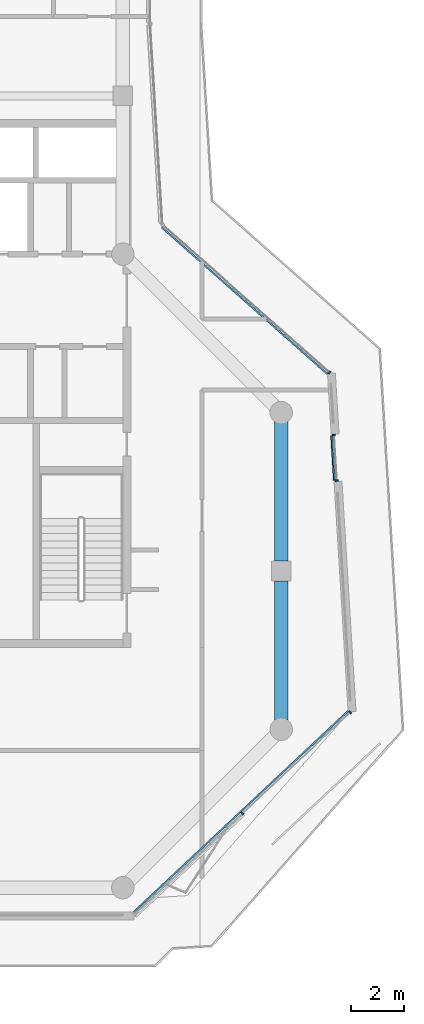
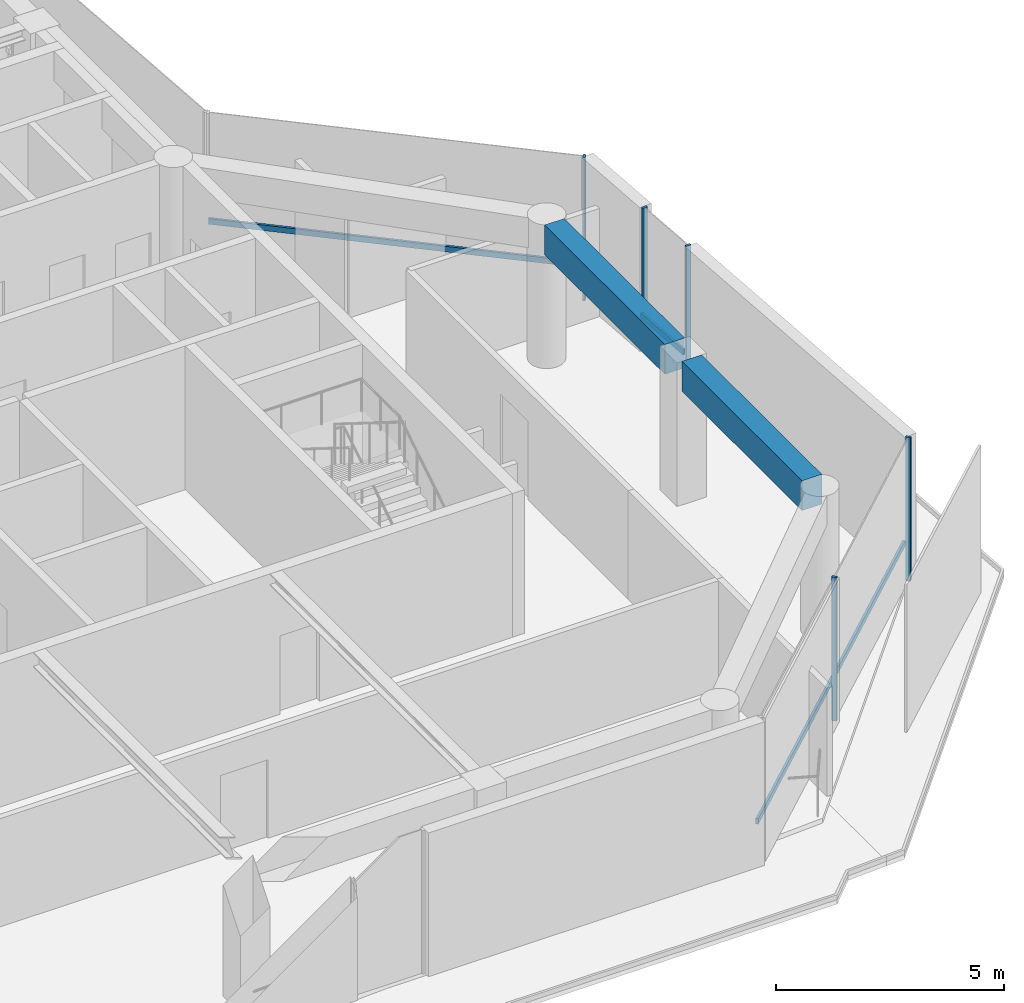
# One storey, part 6 of 21: 8 members, 2 beams, 3 elements without a shape of their own.
"""IFC4 building model written with IfcOpenShell, lengths in metres."""

from ifc_helpers import new_model, si_unit, direction, frame, origin, origin_2d, place, context, subcontext, project, spatial, rectangle, extrude, material, layer, layer_set, material_profile, profile_set, type_object, element, aggregate, save


model = new_model("IFC4")

# Units and contexts
model_context = context("Model", 3, precision=1e-05, world=origin(), true_north=direction((0.0, 1.0)))
body_context = subcontext(model_context, "Body", "Model", "MODEL_VIEW")
ifc_project = project(units=[si_unit("LENGTHUNIT", "METRE"), si_unit("AREAUNIT", "SQUARE_METRE"), si_unit("VOLUMEUNIT", "CUBIC_METRE"), si_unit("PLANEANGLEUNIT", "RADIAN"), si_unit("MASSUNIT", "GRAM", prefix="KILO")], contexts=[model_context])

# Site, building, storey
site_placement = place(None, origin())
site = spatial("IfcSite", under=ifc_project, at=site_placement, CompositionType="ELEMENT")
building_placement = place(site_placement, origin())
building = spatial("IfcBuilding", under=site, at=building_placement, Name="Welwitschia Terrace Campus", CompositionType="ELEMENT")
storey_placement = place(building_placement, frame((0.0, 0.0, 302.0)))
storey = spatial("IfcBuildingStorey", under=building, at=storey_placement, Name="L67", CompositionType="ELEMENT", Elevation=302.0)

# Curtain wall, members
ifc_material_1 = material(Name="Bronze anodised aluminium", Category="aluminium")
ifc_layer = layer(ifc_material_1, 0.1201171875)
ifc_layer_set = layer_set([ifc_layer], Name="Bronze anodised aluminium")
curtain_wall_type = type_object("IfcCurtainWallType", Name="Curtain wall CW2 tower 6000", PredefinedType="NOTDEFINED", material=ifc_layer_set)
curtain_wall_1_placement = place(storey_placement, origin())
curtain_wall_1 = element("IfcCurtainWall", 1, at=curtain_wall_1_placement, inside=storey, type_object=curtain_wall_type, Name="CW L67.2.0", PredefinedType="NOTDEFINED")
ifc_material_2 = material(Name="Bronze anodised aluminium", Category="aluminium")
ifc_material_profile_1 = material_profile(ifc_material_2, rectangle(XDim=0.1201171875, YDim=0.06005859375, at=origin_2d()))
ifc_profile_set_1 = profile_set([ifc_material_profile_1], Name="Bronze anodised aluminium")
member_type_1 = type_object("IfcMemberType", Name="Mullion 60x120", PredefinedType="MULLION", material=ifc_profile_set_1)
member_1_placement = place(storey_placement, frame((28.531005859375, -1.1826171875, 0.0), z_axis=(0.0, 0.0, 1.0), x_axis=(-0.68390177044, 0.729574100684, 0.0)))
member_1 = element("IfcMember", 2, at=member_1_placement, type_object=member_type_1, Name="Mullion L67.2.0.1", PredefinedType="MULLION", context=body_context, shape_type="SweptSolid", body=[
    extrude(rectangle(XDim=0.1201171875, YDim=0.06005859375, at=origin_2d()), origin(), (0.0, 0.0, 1.0), 3.85009765625),
])
member_2_placement = place(storey_placement, frame((32.61328125, 2.64404296875, 0.0), z_axis=(0.0, 0.0, 1.0), x_axis=(-0.68390177044, 0.729574100684, 0.0)))
member_2 = element("IfcMember", 3, at=member_2_placement, type_object=member_type_1, Name="Mullion L67.2.0.2", PredefinedType="MULLION", context=body_context, shape_type="SweptSolid", body=[
    extrude(rectangle(XDim=0.1201171875, YDim=0.06005859375, at=origin_2d()), origin(), (0.0, 0.0, 1.0), 3.85009765625),
])

curtain_wall_2_placement = place(storey_placement, origin())
curtain_wall_2 = element("IfcCurtainWall", 4, at=curtain_wall_2_placement, inside=storey, type_object=curtain_wall_type, Name="CW L67.3.S0", PredefinedType="NOTDEFINED")
member_3_placement = place(storey_placement, frame((32.099853515625, 11.418212890625, 0.0), z_axis=(0.0, 0.0, 1.0), x_axis=(-0.998134798422, -0.061048539535, 0.0)))
member_3 = element("IfcMember", 5, at=member_3_placement, type_object=member_type_1, Name="Mullion L67.3.S0.0", PredefinedType="MULLION", context=body_context, shape_type="SweptSolid", body=[
    extrude(rectangle(XDim=0.1201171875, YDim=0.06005859375, at=origin_2d()), origin(), (0.0, 0.0, 1.0), 3.85009765625),
])
member_4_placement = place(storey_placement, frame((31.99365234375, 13.155029296875, 0.0), z_axis=(0.0, 0.0, 1.0), x_axis=(-0.998134798422, -0.061048539535, 0.0)))
member_4 = element("IfcMember", 6, at=member_4_placement, type_object=member_type_1, Name="Mullion L67.3.S0.1", PredefinedType="MULLION", context=body_context, shape_type="SweptSolid", body=[
    extrude(rectangle(XDim=0.1201171875, YDim=0.06005859375, at=origin_2d()), origin(), (0.0, 0.0, 1.0), 3.85009765625),
])

# Curtain wall, member
curtain_wall_3_placement = place(storey_placement, origin())
curtain_wall_3 = element("IfcCurtainWall", 7, at=curtain_wall_3_placement, inside=storey, type_object=curtain_wall_type, Name="CW L67.4.0", PredefinedType="NOTDEFINED")
member_5_placement = place(storey_placement, frame((31.828125, 15.513916015625, 0.0), z_axis=(0.0, 0.0, 1.0), x_axis=(-0.662620048216, -0.748955720789, 0.0)))
member_5 = element("IfcMember", 8, at=member_5_placement, type_object=member_type_1, Name="Mullion L67.4.0.0", PredefinedType="MULLION", context=body_context, shape_type="SweptSolid", body=[
    extrude(rectangle(XDim=0.1201171875, YDim=0.06005859375, at=origin_2d()), origin(), (0.0, 0.0, 1.0), 3.85009765625),
])

# Beams
ifc_material_3 = material(Name="Concrete C50/60", Category="concrete")
ifc_material_profile_2 = material_profile(ifc_material_3, rectangle(XDim=0.5, YDim=0.800048828125, at=origin_2d()))
ifc_profile_set_2 = profile_set([ifc_material_profile_2], Name="Concrete C50/60")
beam_type = type_object("IfcBeamType", Name="Ring spandrel 500x800", PredefinedType="SPANDREL", material=ifc_profile_set_2)
for number, where, z_axis, x_axis, name in (
    (9, (30.0, 2.344482421875, 3.449951171875), (0.0, 1.0, 0.0), (-1.0, 0.0, 0.0), "Spandrel SP4"),
    (10, (30.0, 8.37548828125, 3.449951171875), (0.0, 1.0, 0.0), (-1.0, 0.0, 0.0), "Spandrel SP4"),
):
    element("IfcBeam", number, at=place(storey_placement, frame(where, z_axis=z_axis, x_axis=x_axis)), inside=storey, type_object=beam_type, Name=name, PredefinedType="SPANDREL", context=body_context, shape_type="SweptSolid", body=[
        extrude(rectangle(XDim=0.5, YDim=0.800048828125, at=origin_2d()), origin(), (0.0, 0.0, 1.0), 5.280029296875),
    ])

# Member
ifc_material_4 = material(Name="Bronze anodised aluminium", Category="aluminium")
ifc_material_profile_3 = material_profile(ifc_material_4, rectangle(XDim=0.06005859375, YDim=0.14990234375, at=origin_2d()))
ifc_profile_set_3 = profile_set([ifc_material_profile_3], Name="Bronze anodised aluminium")
member_type_2 = type_object("IfcMemberType", Name="Transom 60x150", PredefinedType="USERDEFINED", material=ifc_profile_set_3)
member_6_placement = place(storey_placement, frame((24.408935546875, -4.92333984375, 1.0), z_axis=(0.72957071896, 0.683905377984, 0.0), x_axis=(-0.683905377984, 0.72957071896, 0.0)))
member_6 = element("IfcMember", 11, at=member_6_placement, type_object=member_type_2, Name="Transom L67.2.0", ObjectType="TRANSOM", PredefinedType="USERDEFINED", context=body_context, shape_type="SweptSolid", body=[
    extrude(rectangle(XDim=0.06005859375, YDim=0.14990234375, at=origin_2d()), origin(), (0.0, 0.0, 1.0), 11.131103515625),
])

aggregate(curtain_wall_1, [member_1, member_2, member_6])

member_7_placement = place(storey_placement, frame((32.008056640625, 11.442626953125, 1.0), z_axis=(-0.061030293199, 0.998135914248, 0.0), x_axis=(-0.998135914248, -0.061030293199, 0.0)))
member_7 = element("IfcMember", 12, at=member_7_placement, type_object=member_type_2, Name="Transom L67.3.S0", ObjectType="TRANSOM", PredefinedType="USERDEFINED", context=body_context, shape_type="SweptSolid", body=[
    extrude(rectangle(XDim=0.06005859375, YDim=0.14990234375, at=origin_2d()), origin(), (0.0, 0.0, 1.0), 1.68017578125),
])

aggregate(curtain_wall_2, [member_3, member_4, member_7])

member_8_placement = place(storey_placement, frame((31.745849609375, 15.46630859375, 1.0), z_axis=(-0.748953109905, 0.662622999271, 0.0), x_axis=(-0.662622999271, -0.748953109905, 0.0)))
member_8 = element("IfcMember", 13, at=member_8_placement, type_object=member_type_2, Name="Transom L67.4.0", ObjectType="TRANSOM", PredefinedType="USERDEFINED", context=body_context, shape_type="SweptSolid", body=[
    extrude(rectangle(XDim=0.06005859375, YDim=0.14990234375, at=origin_2d()), origin(), (0.0, 0.0, 1.0), 8.365234375),
])

aggregate(curtain_wall_3, [member_5, member_8])

save(model, "model.ifc")
